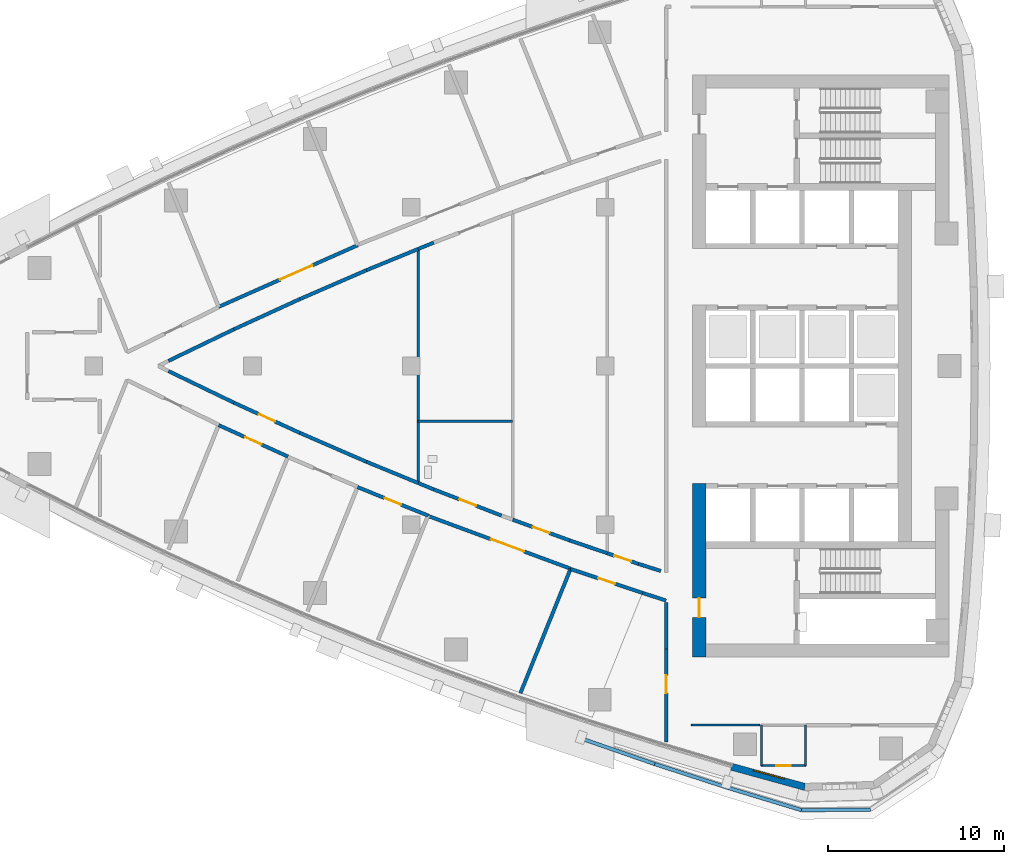
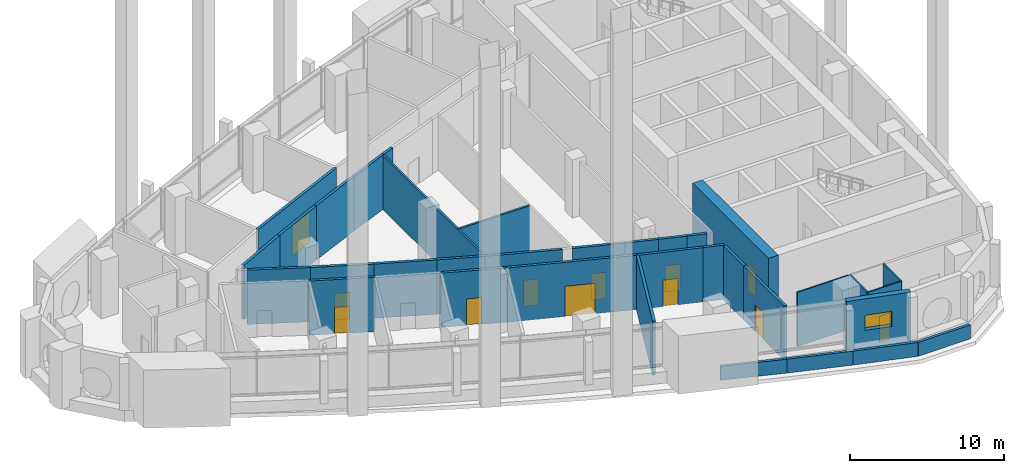
# One storey, part 8 of 19: 36 walls, 12 doors, 1 window, 13 openings.
"""IFC4 building model written with IfcOpenShell, lengths in metres."""

from ifc_helpers import new_model, si_unit, direction, frame, frame_2d, origin, place, context, subcontext, project, spatial, polyline, rectangle, outline, extrude, material, layer, layer_set, type_object, element, fill, save


model = new_model("IFC4")

# Units and contexts
model_context = context("Model", 3, precision=1e-05, world=origin(), true_north=direction((0.0, 1.0)))
body_context = subcontext(model_context, "Body", "Model", "MODEL_VIEW")
ifc_project = project(units=[si_unit("LENGTHUNIT", "METRE"), si_unit("AREAUNIT", "SQUARE_METRE"), si_unit("VOLUMEUNIT", "CUBIC_METRE"), si_unit("PLANEANGLEUNIT", "RADIAN"), si_unit("MASSUNIT", "GRAM", prefix="KILO")], contexts=[model_context])

# Site, building, storey
site_placement = place(None, origin())
site = spatial("IfcSite", under=ifc_project, at=site_placement, CompositionType="ELEMENT")
building_placement = place(site_placement, origin())
building = spatial("IfcBuilding", under=site, at=building_placement, Name="Ostrand Prow Hotel Tower", CompositionType="ELEMENT")
storey_placement = place(building_placement, frame((0.0, 0.0, 170.89990234375)))
storey = spatial("IfcBuildingStorey", under=building, at=storey_placement, Name="L42", CompositionType="ELEMENT", Elevation=170.89990234375)

# Wall, opening, door
ifc_material_1 = material(Name="Concrete C60/75", Category="concrete")
ifc_layer_1 = layer(ifc_material_1, 0.75)
ifc_layer_set_1 = layer_set([ifc_layer_1], Name="Concrete C60/75")
wall_type_1 = type_object("IfcWallType", Name="Core wall 750 C60/75", PredefinedType="SHEAR", material=ifc_layer_set_1)
wall_1_placement = place(storey_placement, frame((50.324951171875, -16.5, 0.0), z_axis=(0.0, 0.0, 1.0), x_axis=(0.0, 1.0, 0.0)))
wall_1 = element("IfcWall", 1, at=wall_1_placement, inside=storey, type_object=wall_type_1, Name="Core wall CW-W-S", PredefinedType="SHEAR", context=body_context, shape_type="SweptSolid", body=[
    extrude(rectangle(XDim=9.85009765625, YDim=0.75, at=frame_2d((4.925048828125, 0.0))), origin(), (0.0, 0.0, 1.0), 4.60009765625),
])
opening_1_placement = place(wall_1_placement, frame((2.25, 0.0, 0.0)))
opening_1 = element("IfcOpeningElement", 2, at=opening_1_placement, cuts=wall_1, Name="Opening FD1", PredefinedType="OPENING", context=body_context, shape_type="SweptSolid", body=[
    extrude(rectangle(XDim=1.10009765625, YDim=2.10009765625, at=frame_2d((0.550048828125, 1.050048828125))), frame((0.0, 0.385009765625, 0.0), z_axis=(0.0, -1.0, 0.0), x_axis=(1.0, 0.0, 0.0)), (0.0, 0.0, 1.0), 0.77001953125),
])
ifc_material_2 = material(Name="Steel fire door", Category="steel")
door_type_1 = type_object("IfcDoorType", Name="Fire door 1100 EI120", OperationType="SINGLE_SWING_RIGHT", PredefinedType="DOOR", material=ifc_material_2)
door_1_placement = place(opening_1_placement, origin())
door_1 = element("IfcDoor", 3, at=door_1_placement, inside=storey, type_object=door_type_1, Name="FIRE DOOR", OperationType="SINGLE_SWING_RIGHT", OverallHeight=2.10009765625, OverallWidth=1.10009765625, PredefinedType="DOOR", context=body_context, shape_type="SweptSolid", body=[
    extrude(rectangle(XDim=1.10009765625, YDim=2.10009765625, at=frame_2d((0.550048828125, 1.050048828125))), frame((0.0, 0.02490234375, 0.0), z_axis=(0.0, -1.0, 0.0), x_axis=(1.0, 0.0, 0.0)), (0.0, 0.0, 1.0), 0.050048828125),
])
fill(opening_1, door_1)

ifc_material_3 = material(Name="Plasterboard partition")
ifc_layer_2 = layer(ifc_material_3, 0.10009765625)
ifc_layer_set_2 = layer_set([ifc_layer_2], Name="Plasterboard partition")
wall_type_2 = type_object("IfcWallType", Name="Partition 100 bathroom wall", PredefinedType="PARTITIONING", material=ifc_layer_set_2)
wall_2_placement = place(storey_placement, frame((56.35009765625, -22.64990234375, 0.0), z_axis=(0.0, 0.0, 1.0), x_axis=(-1.0, 0.0, 0.0)))
wall_2 = element("IfcWall", 4, at=wall_2_placement, inside=storey, type_object=wall_type_2, Name="BATHROOM WALL", PredefinedType="PARTITIONING", context=body_context, shape_type="SweptSolid", body=[
    extrude(rectangle(XDim=2.5, YDim=0.10009765625, at=frame_2d((1.25, 0.0))), origin(), (0.0, 0.0, 1.0), 4.300048828125),
])
opening_2_placement = place(wall_2_placement, frame((0.85009765625, 0.0, 0.0)))
opening_2 = element("IfcOpeningElement", 5, at=opening_2_placement, cuts=wall_2, Name="Opening D2", PredefinedType="OPENING", context=body_context, shape_type="SweptSolid", body=[
    extrude(rectangle(XDim=0.800048828125, YDim=2.10009765625, at=frame_2d((0.39990234375, 1.050048828125))), frame((0.0, 0.06005859375, 0.0), z_axis=(0.0, -1.0, 0.0), x_axis=(1.0, 0.0, 0.0)), (0.0, 0.0, 1.0), 0.1201171875),
])
ifc_material_4 = material(Name="Timber door leaf", Category="wood")
door_type_2 = type_object("IfcDoorType", Name="Bathroom door 800", OperationType="SINGLE_SWING_LEFT", PredefinedType="DOOR", material=ifc_material_4)
door_2_placement = place(opening_2_placement, origin())
door_2 = element("IfcDoor", 6, at=door_2_placement, inside=storey, type_object=door_type_2, Name="DOOR", OperationType="SINGLE_SWING_LEFT", OverallHeight=2.10009765625, OverallWidth=0.800048828125, PredefinedType="DOOR", context=body_context, shape_type="SweptSolid", body=[
    extrude(rectangle(XDim=0.800048828125, YDim=2.10009765625, at=frame_2d((0.39990234375, 1.050048828125))), frame((0.0, 0.02490234375, 0.0), z_axis=(0.0, -1.0, 0.0), x_axis=(1.0, 0.0, 0.0)), (0.0, 0.0, 1.0), 0.050048828125),
])
fill(opening_2, door_2)

# Walls
for number, where, z_axis, x_axis, name in (
    (7, (53.85009765625, -22.64990234375, 0.0), (0.0, 0.0, 1.0), (0.0, 1.0, 0.0), "BATHROOM WALL"),
    (8, (56.35009765625, -20.35009765625, 0.0), (0.0, 0.0, 1.0), (0.0, -1.0, 0.0), "BATHROOM WALL"),
):
    element("IfcWall", number, at=place(storey_placement, frame(where, z_axis=z_axis, x_axis=x_axis)), inside=storey, type_object=wall_type_2, Name=name, PredefinedType="PARTITIONING", context=body_context, shape_type="SweptSolid", body=[
        extrude(rectangle(XDim=2.2998046875, YDim=0.10009765625, at=frame_2d((1.14990234375, 0.0))), origin(), (0.0, 0.0, 1.0), 4.300048828125),
    ])
wall_3_placement = place(storey_placement, frame((53.75, -20.35009765625, 0.0), z_axis=(0.0, 0.0, 1.0), x_axis=(-1.0, 0.0, 0.0)))
element("IfcWall", 9, at=wall_3_placement, inside=storey, type_object=wall_type_2, Name="BATHROOM WALL", PredefinedType="PARTITIONING", context=body_context, shape_type="SweptSolid", body=[
    extrude(rectangle(XDim=3.8798828125, YDim=0.10009765625, at=frame_2d((1.93994140625, 0.0))), origin(), (0.0, 0.0, 1.0), 4.300048828125),
])
ifc_material_5 = material(Name="Plasterboard partition")
ifc_layer_3 = layer(ifc_material_5, 0.14990234375)
ifc_layer_set_3 = layer_set([ifc_layer_3], Name="Plasterboard partition")
wall_type_3 = type_object("IfcWallType", Name="Partition 150 room partition", PredefinedType="PARTITIONING", material=ifc_layer_set_3)
wall_4_placement = place(storey_placement, frame((34.3935546875, -3.135498046875, 0.0), z_axis=(0.0, 0.0, 1.0), x_axis=(1.0, 0.0, 0.0)))
element("IfcWall", 10, at=wall_4_placement, inside=storey, type_object=wall_type_3, Name="ROOM PARTITION", PredefinedType="PARTITIONING", context=body_context, shape_type="SweptSolid", body=[
    extrude(rectangle(XDim=5.354736328125, YDim=0.14990234375, at=frame_2d((2.67724609375, 0.0))), origin(), (0.0, 0.0, 1.0), 4.300048828125),
])
wall_5_placement = place(storey_placement, frame((34.3935546875, -6.632568359375, 0.0), z_axis=(0.0, 0.0, 1.0), x_axis=(0.0, 1.0, 0.0)))
element("IfcWall", 11, at=wall_5_placement, inside=storey, type_object=wall_type_3, Name="ROOM PARTITION", PredefinedType="PARTITIONING", context=body_context, shape_type="SweptSolid", body=[
    extrude(rectangle(XDim=13.26513671875, YDim=0.14990234375, at=frame_2d((6.632568359375, 0.0))), origin(), (0.0, 0.0, 1.0), 4.300048828125),
])

# Wall, opening, door
ifc_material_6 = material(Name="Plasterboard partition")
ifc_layer_4 = layer(ifc_material_6, 0.199951171875)
ifc_layer_set_4 = layer_set([ifc_layer_4], Name="Plasterboard partition")
wall_type_4 = type_object("IfcWallType", Name="Partition 200 corridor wall", PredefinedType="PARTITIONING", material=ifc_layer_set_4)
wall_6_placement = place(storey_placement, frame((23.084716796875, 3.35107421875, 0.0), z_axis=(0.0, 0.0, 1.0), x_axis=(0.914065936171, 0.405565610392, 0.0)))
wall_6 = element("IfcWall", 12, at=wall_6_placement, inside=storey, type_object=wall_type_4, Name="CORRIDOR WALL", PredefinedType="PARTITIONING", context=body_context, shape_type="SweptSolid", body=[
    extrude(rectangle(XDim=8.62158203125, YDim=0.199951171875, at=frame_2d((4.310791015625, 0.0))), origin(), (0.0, 0.0, 1.0), 4.300048828125),
])
opening_3_placement = place(wall_6_placement, frame((3.810791015625, 0.0, 0.0)))
opening_3 = element("IfcOpeningElement", 13, at=opening_3_placement, cuts=wall_6, Name="Opening D20", PredefinedType="OPENING", context=body_context, shape_type="SweptSolid", body=[
    extrude(rectangle(XDim=2.0, YDim=2.39990234375, at=frame_2d((1.0, 1.199951171875))), frame((0.0, 0.10986328125, 0.0), z_axis=(0.0, -1.0, 0.0), x_axis=(1.0, 0.0, 0.0)), (0.0, 0.0, 1.0), 0.219970703125),
])
ifc_material_7 = material(Name="Timber door leaf", Category="wood")
door_type_3 = type_object("IfcDoorType", Name="Double door 2000", OperationType="DOUBLE_DOOR_SINGLE_SWING", PredefinedType="DOOR", material=ifc_material_7)
door_3_placement = place(opening_3_placement, origin())
door_3 = element("IfcDoor", 14, at=door_3_placement, inside=storey, type_object=door_type_3, Name="DOOR", OperationType="DOUBLE_DOOR_SINGLE_SWING", OverallHeight=2.39990234375, OverallWidth=2.0, PredefinedType="DOOR", context=body_context, shape_type="SweptSolid", body=[
    extrude(rectangle(XDim=2.0, YDim=2.39990234375, at=frame_2d((1.0, 1.199951171875))), frame((0.0, 0.02490234375, 0.0), z_axis=(0.0, -1.0, 0.0), x_axis=(1.0, 0.0, 0.0)), (0.0, 0.0, 1.0), 0.050048828125),
])
fill(opening_3, door_3)

wall_7_placement = place(storey_placement, frame((23.084716796875, -3.35107421875, 0.0), z_axis=(0.0, 0.0, 1.0), x_axis=(0.910651275081, -0.413175816322, 0.0)))
wall_7 = element("IfcWall", 15, at=wall_7_placement, inside=storey, type_object=wall_type_4, Name="CORRIDOR WALL", PredefinedType="PARTITIONING", context=body_context, shape_type="SweptSolid", body=[
    extrude(rectangle(XDim=4.312255859375, YDim=0.199951171875, at=frame_2d((2.15625, 0.0))), origin(), (0.0, 0.0, 1.0), 4.300048828125),
])
opening_4_placement = place(wall_7_placement, frame((1.656005859375, 0.0, 0.0)))
opening_4 = element("IfcOpeningElement", 16, at=opening_4_placement, cuts=wall_7, Name="Opening D1", PredefinedType="OPENING", context=body_context, shape_type="SweptSolid", body=[
    extrude(rectangle(XDim=1.0, YDim=2.10009765625, at=frame_2d((0.5, 1.050048828125))), frame((0.0, 0.10986328125, 0.0), z_axis=(0.0, -1.0, 0.0), x_axis=(1.0, 0.0, 0.0)), (0.0, 0.0, 1.0), 0.219970703125),
])
ifc_material_8 = material(Name="Timber door leaf", Category="wood")
door_type_4 = type_object("IfcDoorType", Name="Guest room door 1000", OperationType="SINGLE_SWING_LEFT", PredefinedType="DOOR", material=ifc_material_8)
door_4_placement = place(opening_4_placement, origin())
door_4 = element("IfcDoor", 17, at=door_4_placement, inside=storey, type_object=door_type_4, Name="DOOR", OperationType="SINGLE_SWING_LEFT", OverallHeight=2.10009765625, OverallWidth=1.0, PredefinedType="DOOR", context=body_context, shape_type="SweptSolid", body=[
    extrude(rectangle(XDim=1.0, YDim=2.10009765625, at=frame_2d((0.5, 1.050048828125))), frame((0.0, 0.02490234375, 0.0), z_axis=(0.0, -1.0, 0.0), x_axis=(1.0, 0.0, 0.0)), (0.0, 0.0, 1.0), 0.050048828125),
])
fill(opening_4, door_4)

wall_8_placement = place(storey_placement, frame((30.9580078125, -6.8662109375, 0.0), z_axis=(0.0, 0.0, 1.0), x_axis=(0.927398695046, -0.374074404933, 0.0)))
wall_8 = element("IfcWall", 18, at=wall_8_placement, inside=storey, type_object=wall_type_4, Name="CORRIDOR WALL", PredefinedType="PARTITIONING", context=body_context, shape_type="SweptSolid", body=[
    extrude(rectangle(XDim=4.310791015625, YDim=0.199951171875, at=frame_2d((2.1552734375, 0.0))), origin(), (0.0, 0.0, 1.0), 4.300048828125),
])
opening_5_placement = place(wall_8_placement, frame((1.655517578125, 0.0, 0.0)))
opening_5 = element("IfcOpeningElement", 19, at=opening_5_placement, cuts=wall_8, Name="Opening D1", PredefinedType="OPENING", context=body_context, shape_type="SweptSolid", body=[
    extrude(rectangle(XDim=1.0, YDim=2.10009765625, at=frame_2d((0.5, 1.050048828125))), frame((0.0, 0.10986328125, 0.0), z_axis=(0.0, -1.0, 0.0), x_axis=(1.0, 0.0, 0.0)), (0.0, 0.0, 1.0), 0.219970703125),
])
door_5_placement = place(opening_5_placement, origin())
door_5 = element("IfcDoor", 20, at=door_5_placement, inside=storey, type_object=door_type_4, Name="DOOR", OperationType="SINGLE_SWING_LEFT", OverallHeight=2.10009765625, OverallWidth=1.0, PredefinedType="DOOR", context=body_context, shape_type="SweptSolid", body=[
    extrude(rectangle(XDim=1.0, YDim=2.10009765625, at=frame_2d((0.5, 1.050048828125))), frame((0.0, 0.02490234375, 0.0), z_axis=(0.0, -1.0, 0.0), x_axis=(1.0, 0.0, 0.0)), (0.0, 0.0, 1.0), 0.050048828125),
])
fill(opening_5, door_5)

wall_9_placement = place(storey_placement, frame((34.9482421875, -8.497314453125, 0.0), z_axis=(0.0, 0.0, 1.0), x_axis=(0.937864515454, -0.347001657996, 0.0)))
wall_9 = element("IfcWall", 21, at=wall_9_placement, inside=storey, type_object=wall_type_4, Name="CORRIDOR WALL", PredefinedType="PARTITIONING", context=body_context, shape_type="SweptSolid", body=[
    extrude(rectangle(XDim=8.620849609375, YDim=0.199951171875, at=frame_2d((4.310546875, 0.0))), origin(), (0.0, 0.0, 1.0), 4.300048828125),
])
opening_6_placement = place(wall_9_placement, frame((3.810302734375, 0.0, 0.0)))
opening_6 = element("IfcOpeningElement", 22, at=opening_6_placement, cuts=wall_9, Name="Opening D20", PredefinedType="OPENING", context=body_context, shape_type="SweptSolid", body=[
    extrude(rectangle(XDim=2.0, YDim=2.39990234375, at=frame_2d((1.0, 1.199951171875))), frame((0.0, 0.10986328125, 0.0), z_axis=(0.0, -1.0, 0.0), x_axis=(1.0, 0.0, 0.0)), (0.0, 0.0, 1.0), 0.219970703125),
])
door_6_placement = place(opening_6_placement, origin())
door_6 = element("IfcDoor", 23, at=door_6_placement, inside=storey, type_object=door_type_3, Name="DOOR", OperationType="DOUBLE_DOOR_SINGLE_SWING", OverallHeight=2.39990234375, OverallWidth=2.0, PredefinedType="DOOR", context=body_context, shape_type="SweptSolid", body=[
    extrude(rectangle(XDim=2.0, YDim=2.39990234375, at=frame_2d((1.0, 1.199951171875))), frame((0.0, 0.02490234375, 0.0), z_axis=(0.0, -1.0, 0.0), x_axis=(1.0, 0.0, 0.0)), (0.0, 0.0, 1.0), 0.050048828125),
])
fill(opening_6, door_6)

wall_10_placement = place(storey_placement, frame((43.02587890625, -11.50732421875, 0.0), z_axis=(0.0, 0.0, 1.0), x_axis=(0.949022233489, -0.315209137469, 0.0)))
wall_10 = element("IfcWall", 24, at=wall_10_placement, inside=storey, type_object=wall_type_4, Name="CORRIDOR WALL", PredefinedType="PARTITIONING", context=body_context, shape_type="SweptSolid", body=[
    extrude(rectangle(XDim=4.31494140625, YDim=0.199951171875, at=frame_2d((2.157470703125, 0.0))), origin(), (0.0, 0.0, 1.0), 4.300048828125),
])
opening_7_placement = place(wall_10_placement, frame((1.657470703125, 0.0, 0.0)))
opening_7 = element("IfcOpeningElement", 25, at=opening_7_placement, cuts=wall_10, Name="Opening D1", PredefinedType="OPENING", context=body_context, shape_type="SweptSolid", body=[
    extrude(rectangle(XDim=1.0, YDim=2.10009765625, at=frame_2d((0.5, 1.050048828125))), frame((0.0, 0.10986328125, 0.0), z_axis=(0.0, -1.0, 0.0), x_axis=(1.0, 0.0, 0.0)), (0.0, 0.0, 1.0), 0.219970703125),
])
door_7_placement = place(opening_7_placement, origin())
door_7 = element("IfcDoor", 26, at=door_7_placement, inside=storey, type_object=door_type_4, Name="DOOR", OperationType="SINGLE_SWING_LEFT", OverallHeight=2.10009765625, OverallWidth=1.0, PredefinedType="DOOR", context=body_context, shape_type="SweptSolid", body=[
    extrude(rectangle(XDim=1.0, YDim=2.10009765625, at=frame_2d((0.5, 1.050048828125))), frame((0.0, 0.02490234375, 0.0), z_axis=(0.0, -1.0, 0.0), x_axis=(1.0, 0.0, 0.0)), (0.0, 0.0, 1.0), 0.050048828125),
])
fill(opening_7, door_7)

wall_11_placement = place(storey_placement, frame((27.689697265625, -3.79345703125, 0.0), z_axis=(0.0, 0.0, 1.0), x_axis=(-0.909180834404, 0.416401501382, 0.0)))
wall_11 = element("IfcWall", 27, at=wall_11_placement, inside=storey, type_object=wall_type_4, Name="CORRIDOR WALL", PredefinedType="PARTITIONING", context=body_context, shape_type="SweptSolid", body=[
    extrude(rectangle(XDim=4.1171875, YDim=0.199951171875, at=frame_2d((2.05859375, 0.0))), origin(), (0.0, 0.0, 1.0), 4.300048828125),
])
opening_8_placement = place(wall_11_placement, frame((1.55859375, 0.0, 0.0)))
opening_8 = element("IfcOpeningElement", 28, at=opening_8_placement, cuts=wall_11, Name="Opening D1R", PredefinedType="OPENING", context=body_context, shape_type="SweptSolid", body=[
    extrude(rectangle(XDim=1.0, YDim=2.10009765625, at=frame_2d((0.5, 1.050048828125))), frame((0.0, 0.10986328125, 0.0), z_axis=(0.0, -1.0, 0.0), x_axis=(1.0, 0.0, 0.0)), (0.0, 0.0, 1.0), 0.219970703125),
])
ifc_material_9 = material(Name="Timber door leaf", Category="wood")
door_type_5 = type_object("IfcDoorType", Name="Guest room door 1000 right", OperationType="SINGLE_SWING_RIGHT", PredefinedType="DOOR", material=ifc_material_9)
door_8_placement = place(opening_8_placement, origin())
door_8 = element("IfcDoor", 29, at=door_8_placement, inside=storey, type_object=door_type_5, Name="DOOR", OperationType="SINGLE_SWING_RIGHT", OverallHeight=2.10009765625, OverallWidth=1.0, PredefinedType="DOOR", context=body_context, shape_type="SweptSolid", body=[
    extrude(rectangle(XDim=1.0, YDim=2.10009765625, at=frame_2d((0.5, 1.050048828125))), frame((0.0, 0.02490234375, 0.0), z_axis=(0.0, -1.0, 0.0), x_axis=(1.0, 0.0, 0.0)), (0.0, 0.0, 1.0), 0.050048828125),
])
fill(opening_8, door_8)

# Walls
for number, where, z_axis, x_axis, name in (
    (30, (31.466552734375, 5.43212890625, 0.0), (0.0, 0.0, 1.0), (0.92521099839, 0.379453038542, 0.0), "CORRIDOR WALL"),
    (31, (34.3935546875, -6.632568359375, 0.0), (0.0, 0.0, 1.0), (-0.92521099839, 0.379453038542, 0.0), "CORRIDOR WALL"),
):
    element("IfcWall", number, at=place(storey_placement, frame(where, z_axis=z_axis, x_axis=x_axis)), inside=storey, type_object=wall_type_4, Name=name, PredefinedType="PARTITIONING", context=body_context, shape_type="SweptSolid", body=[
        extrude(rectangle(XDim=3.16357421875, YDim=0.199951171875, at=frame_2d((1.581787109375, 0.0))), origin(), (0.0, 0.0, 1.0), 4.300048828125),
    ])
for number, where, z_axis, x_axis, name in (
    (32, (31.466552734375, -5.43212890625, 0.0), (0.0, 0.0, 1.0), (-0.917375244839, 0.398023441717, 0.0), "CORRIDOR WALL"),
    (33, (23.946533203125, -2.0791015625, 0.0), (0.0, 0.0, 1.0), (-0.900613273517, 0.434621365748, 0.0), "CORRIDOR WALL"),
    (34, (20.23876953125, 0.289794921875, 0.0), (0.0, 0.0, 1.0), (0.900613273517, 0.434621365748, 0.0), "CORRIDOR WALL"),
):
    element("IfcWall", number, at=place(storey_placement, frame(where, z_axis=z_axis, x_axis=x_axis)), inside=storey, type_object=wall_type_4, Name=name, PredefinedType="PARTITIONING", context=body_context, shape_type="SweptSolid", body=[
        extrude(rectangle(XDim=4.116943359375, YDim=0.199951171875, at=frame_2d((2.05859375, 0.0))), origin(), (0.0, 0.0, 1.0), 4.300048828125),
    ])
wall_12_placement = place(storey_placement, frame((23.946533203125, 2.0791015625, 0.0), z_axis=(0.0, 0.0, 1.0), x_axis=(0.909180834404, 0.416401501382, 0.0)))
element("IfcWall", 35, at=wall_12_placement, inside=storey, type_object=wall_type_4, Name="CORRIDOR WALL", PredefinedType="PARTITIONING", context=body_context, shape_type="SweptSolid", body=[
    extrude(rectangle(XDim=4.1171875, YDim=0.199951171875, at=frame_2d((2.05859375, 0.0))), origin(), (0.0, 0.0, 1.0), 4.300048828125),
])
wall_13_placement = place(storey_placement, frame((27.689697265625, 3.79345703125, 0.0), z_axis=(0.0, 0.0, 1.0), x_axis=(0.917375244839, 0.398023441717, 0.0)))
element("IfcWall", 36, at=wall_13_placement, inside=storey, type_object=wall_type_4, Name="CORRIDOR WALL", PredefinedType="PARTITIONING", context=body_context, shape_type="SweptSolid", body=[
    extrude(rectangle(XDim=4.116943359375, YDim=0.199951171875, at=frame_2d((2.05859375, 0.0))), origin(), (0.0, 0.0, 1.0), 4.300048828125),
])

# Wall, opening, door
wall_14_placement = place(storey_placement, frame((39.115478515625, -8.4794921875, 0.0), z_axis=(0.0, 0.0, 1.0), x_axis=(-0.932673028194, 0.360722916487, 0.0)))
wall_14 = element("IfcWall", 37, at=wall_14_placement, inside=storey, type_object=wall_type_4, Name="CORRIDOR WALL", PredefinedType="PARTITIONING", context=body_context, shape_type="SweptSolid", body=[
    extrude(rectangle(XDim=4.116943359375, YDim=0.199951171875, at=frame_2d((2.05859375, 0.0))), origin(), (0.0, 0.0, 1.0), 4.300048828125),
])
opening_9_placement = place(wall_14_placement, frame((1.55859375, 0.0, 0.0)))
opening_9 = element("IfcOpeningElement", 38, at=opening_9_placement, cuts=wall_14, Name="Opening D1", PredefinedType="OPENING", context=body_context, shape_type="SweptSolid", body=[
    extrude(rectangle(XDim=1.0, YDim=2.10009765625, at=frame_2d((0.5, 1.050048828125))), frame((0.0, 0.10986328125, 0.0), z_axis=(0.0, -1.0, 0.0), x_axis=(1.0, 0.0, 0.0)), (0.0, 0.0, 1.0), 0.219970703125),
])
door_9_placement = place(opening_9_placement, origin())
door_9 = element("IfcDoor", 39, at=door_9_placement, inside=storey, type_object=door_type_4, Name="DOOR", OperationType="SINGLE_SWING_LEFT", OverallHeight=2.10009765625, OverallWidth=1.0, PredefinedType="DOOR", context=body_context, shape_type="SweptSolid", body=[
    extrude(rectangle(XDim=1.0, YDim=2.10009765625, at=frame_2d((0.5, 1.050048828125))), frame((0.0, 0.02490234375, 0.0), z_axis=(0.0, -1.0, 0.0), x_axis=(1.0, 0.0, 0.0)), (0.0, 0.0, 1.0), 0.050048828125),
])
fill(opening_9, door_9)

# Walls
for number, where, z_axis, x_axis, name in (
    (40, (35.275634765625, -6.994384765625, 0.0), (0.0, 0.0, 1.0), (-0.925191673323, 0.379500154958, 0.0), "CORRIDOR WALL"),
    (41, (34.3935546875, 6.632568359375, 0.0), (0.0, 0.0, 1.0), (0.925191673323, 0.379500154958, 0.0), "CORRIDOR WALL"),
):
    element("IfcWall", number, at=place(storey_placement, frame(where, z_axis=z_axis, x_axis=x_axis)), inside=storey, type_object=wall_type_4, Name=name, PredefinedType="PARTITIONING", context=body_context, shape_type="SweptSolid", body=[
        extrude(rectangle(XDim=0.953369140625, YDim=0.199951171875, at=frame_2d((0.4765625, 0.0))), origin(), (0.0, 0.0, 1.0), 4.300048828125),
    ])

# Wall, opening, door
wall_15_placement = place(storey_placement, frame((42.984375, -9.88720703125, 0.0), z_axis=(0.0, 0.0, 1.0), x_axis=(-0.93972509626, 0.341930904509, 0.0)))
wall_15 = element("IfcWall", 42, at=wall_15_placement, inside=storey, type_object=wall_type_4, Name="CORRIDOR WALL", PredefinedType="PARTITIONING", context=body_context, shape_type="SweptSolid", body=[
    extrude(rectangle(XDim=3.443603515625, YDim=0.199951171875, at=frame_2d((1.7216796875, 0.0))), origin(), (0.0, 0.0, 1.0), 4.300048828125),
])
opening_10_placement = place(wall_15_placement, frame((1.2216796875, 0.0, 0.0)))
opening_10 = element("IfcOpeningElement", 43, at=opening_10_placement, cuts=wall_15, Name="Opening D1", PredefinedType="OPENING", context=body_context, shape_type="SweptSolid", body=[
    extrude(rectangle(XDim=1.0, YDim=2.10009765625, at=frame_2d((0.5, 1.050048828125))), frame((0.0, 0.10986328125, 0.0), z_axis=(0.0, -1.0, 0.0), x_axis=(1.0, 0.0, 0.0)), (0.0, 0.0, 1.0), 0.219970703125),
])
door_10_placement = place(opening_10_placement, origin())
door_10 = element("IfcDoor", 44, at=door_10_placement, inside=storey, type_object=door_type_4, Name="DOOR", OperationType="SINGLE_SWING_LEFT", OverallHeight=2.10009765625, OverallWidth=1.0, PredefinedType="DOOR", context=body_context, shape_type="SweptSolid", body=[
    extrude(rectangle(XDim=1.0, YDim=2.10009765625, at=frame_2d((0.5, 1.050048828125))), frame((0.0, 0.02490234375, 0.0), z_axis=(0.0, -1.0, 0.0), x_axis=(1.0, 0.0, 0.0)), (0.0, 0.0, 1.0), 0.050048828125),
])
fill(opening_10, door_10)

# Wall
wall_16_placement = place(storey_placement, frame((45.103271484375, -10.610107421875, 0.0), z_axis=(0.0, 0.0, 1.0), x_axis=(-0.946435226242, 0.322893732562, 0.0)))
element("IfcWall", 45, at=wall_16_placement, inside=storey, type_object=wall_type_4, Name="CORRIDOR WALL", PredefinedType="PARTITIONING", context=body_context, shape_type="SweptSolid", body=[
    extrude(rectangle(XDim=2.23876953125, YDim=0.199951171875, at=frame_2d((1.119384765625, 0.0))), origin(), (0.0, 0.0, 1.0), 4.300048828125),
])

# Wall, opening, door
wall_17_placement = place(storey_placement, frame((46.880859375, -11.216552734375, 0.0), z_axis=(0.0, 0.0, 1.0), x_axis=(-0.946437079914, 0.322888299204, 0.0)))
wall_17 = element("IfcWall", 46, at=wall_17_placement, inside=storey, type_object=wall_type_4, Name="CORRIDOR WALL", PredefinedType="PARTITIONING", context=body_context, shape_type="SweptSolid", body=[
    extrude(rectangle(XDim=1.878173828125, YDim=0.199951171875, at=frame_2d((0.93896484375, 0.0))), origin(), (0.0, 0.0, 1.0), 4.300048828125),
])
opening_11_placement = place(wall_17_placement, frame((0.439208984375, 0.0, 0.0)))
opening_11 = element("IfcOpeningElement", 47, at=opening_11_placement, cuts=wall_17, Name="Opening D1R", PredefinedType="OPENING", context=body_context, shape_type="SweptSolid", body=[
    extrude(rectangle(XDim=1.0, YDim=2.10009765625, at=frame_2d((0.5, 1.050048828125))), frame((0.0, 0.10986328125, 0.0), z_axis=(0.0, -1.0, 0.0), x_axis=(1.0, 0.0, 0.0)), (0.0, 0.0, 1.0), 0.219970703125),
])
door_11_placement = place(opening_11_placement, origin())
door_11 = element("IfcDoor", 48, at=door_11_placement, inside=storey, type_object=door_type_5, Name="DOOR", OperationType="SINGLE_SWING_RIGHT", OverallHeight=2.10009765625, OverallWidth=1.0, PredefinedType="DOOR", context=body_context, shape_type="SweptSolid", body=[
    extrude(rectangle(XDim=1.0, YDim=2.10009765625, at=frame_2d((0.5, 1.050048828125))), frame((0.0, 0.02490234375, 0.0), z_axis=(0.0, -1.0, 0.0), x_axis=(1.0, 0.0, 0.0)), (0.0, 0.0, 1.0), 0.050048828125),
])
fill(opening_11, door_11)

# Wall
wall_18_placement = place(storey_placement, frame((48.14990234375, -11.62109375, 0.0), z_axis=(0.0, 0.0, 1.0), x_axis=(-0.952761948983, 0.303718074157, 0.0)))
element("IfcWall", 49, at=wall_18_placement, inside=storey, type_object=wall_type_4, Name="CORRIDOR WALL", PredefinedType="PARTITIONING", context=body_context, shape_type="SweptSolid", body=[
    extrude(rectangle(XDim=1.33203125, YDim=0.199951171875, at=frame_2d((0.666015625, 0.0))), origin(), (0.0, 0.0, 1.0), 4.300048828125),
])

# Wall, opening, door
wall_19_placement = place(storey_placement, frame((48.445068359375, -16.0498046875, 0.0), z_axis=(0.0, 0.0, 1.0), x_axis=(0.0, -1.0, 0.0)))
wall_19 = element("IfcWall", 50, at=wall_19_placement, inside=storey, type_object=wall_type_4, Name="CORRIDOR WALL", PredefinedType="PARTITIONING", context=body_context, shape_type="SweptSolid", body=[
    extrude(rectangle(XDim=5.259765625, YDim=0.199951171875, at=frame_2d((2.6298828125, 0.0))), origin(), (0.0, 0.0, 1.0), 4.300048828125),
])
opening_12_placement = place(wall_19_placement, frame((1.488037109375, 0.0, 0.0)))
opening_12 = element("IfcOpeningElement", 51, at=opening_12_placement, cuts=wall_19, Name="Opening D1", PredefinedType="OPENING", context=body_context, shape_type="SweptSolid", body=[
    extrude(rectangle(XDim=1.0, YDim=2.10009765625, at=frame_2d((0.5, 1.050048828125))), frame((0.0, 0.10986328125, 0.0), z_axis=(0.0, -1.0, 0.0), x_axis=(1.0, 0.0, 0.0)), (0.0, 0.0, 1.0), 0.219970703125),
])
door_12_placement = place(opening_12_placement, origin())
door_12 = element("IfcDoor", 52, at=door_12_placement, inside=storey, type_object=door_type_4, Name="DOOR", OperationType="SINGLE_SWING_LEFT", OverallHeight=2.10009765625, OverallWidth=1.0, PredefinedType="DOOR", context=body_context, shape_type="SweptSolid", body=[
    extrude(rectangle(XDim=1.0, YDim=2.10009765625, at=frame_2d((0.5, 1.050048828125))), frame((0.0, 0.02490234375, 0.0), z_axis=(0.0, -1.0, 0.0), x_axis=(1.0, 0.0, 0.0)), (0.0, 0.0, 1.0), 0.050048828125),
])
fill(opening_12, door_12)

# Walls
wall_20_placement = place(storey_placement, frame((47.120849609375, -12.867431640625, 0.0), z_axis=(0.0, 0.0, 1.0), x_axis=(0.951640795778, -0.307212948637, 0.0)))
element("IfcWall", 53, at=wall_20_placement, inside=storey, type_object=wall_type_4, Name="CORRIDOR WALL", PredefinedType="PARTITIONING", context=body_context, shape_type="SweptSolid", body=[
    extrude(rectangle(XDim=1.3916015625, YDim=0.199951171875, at=frame_2d((0.69580078125, 0.0))), origin(), (0.0, 0.0, 1.0), 4.300048828125),
])
wall_21_placement = place(storey_placement, frame((48.445068359375, -13.414794921875, 0.0), z_axis=(0.0, 0.0, 1.0), x_axis=(0.0, -1.0, 0.0)))
element("IfcWall", 54, at=wall_21_placement, inside=storey, type_object=wall_type_4, Name="CORRIDOR WALL", PredefinedType="PARTITIONING", context=body_context, shape_type="SweptSolid", body=[
    extrude(rectangle(XDim=2.635009765625, YDim=0.199951171875, at=frame_2d((1.3173828125, 0.0))), origin(), (0.0, 0.0, 1.0), 4.300048828125),
])
ifc_material_10 = material(Name="Plasterboard partition")
ifc_layer_5 = layer(ifc_material_10, 0.199951171875)
ifc_layer_set_5 = layer_set([ifc_layer_5], Name="Plasterboard partition")
wall_type_5 = type_object("IfcWallType", Name="Partition 200 key partition", PredefinedType="PARTITIONING", material=ifc_layer_set_5)
wall_22_placement = place(storey_placement, frame((40.187744140625, -18.548095703125, 0.0), z_axis=(0.0, 0.0, 1.0), x_axis=(0.373877998371, 0.927477893178, 0.0)))
element("IfcWall", 55, at=wall_22_placement, inside=storey, type_object=wall_type_5, Name="KEY PARTITION", PredefinedType="PARTITIONING", context=body_context, shape_type="SweptSolid", body=[
    extrude(rectangle(XDim=7.611328125, YDim=0.199951171875, at=frame_2d((3.8056640625, 0.0))), origin(), (0.0, 0.0, 1.0), 4.300048828125),
])
ifc_material_11 = material(Name="Precast concrete C40/50", Category="concrete")
ifc_layer_6 = layer(ifc_material_11, 0.199951171875)
ifc_layer_set_6 = layer_set([ifc_layer_6], Name="Precast concrete C40/50")
wall_type_6 = type_object("IfcWallType", Name="Roof parapet 200 mm precast concrete", PredefinedType="PARAPET", material=ifc_layer_set_6)
for number, where, z_axis, x_axis, name in (
    (56, (43.662353515625, -21.12158203125, 0.0), (0.0, 0.0, 1.0), (0.944536635865, -0.328406064969, 0.0), "Roof parapet LPR0 2.7"),
    (57, (47.80029296875, -22.560302734375, 0.0), (0.0, 0.0, 1.0), (0.950927119202, -0.309414954335, 0.0), "Roof parapet LPR0 2.8"),
):
    element("IfcWall", number, at=place(storey_placement, frame(where, z_axis=z_axis, x_axis=x_axis)), inside=storey, type_object=wall_type_6, Name=name, PredefinedType="PARAPET", context=body_context, shape_type="SweptSolid", body=[
        extrude(rectangle(XDim=4.380859375, YDim=0.199951171875, at=frame_2d((2.1904296875, 0.0))), origin(), (0.0, 0.0, 1.0), 1.10009765625),
    ])
wall_23_placement = place(storey_placement, frame((51.966064453125, -23.915771484375, 0.0), z_axis=(0.0, 0.0, 1.0), x_axis=(0.956960072786, -0.290219604942, 0.0)))
element("IfcWall", 58, at=wall_23_placement, inside=storey, type_object=wall_type_6, Name="Roof parapet LPR0 2.9", PredefinedType="PARAPET", context=body_context, shape_type="SweptSolid", body=[
    extrude(rectangle(XDim=4.342529296875, YDim=0.199951171875, at=frame_2d((2.17138671875, 0.0))), origin(), (0.0, 0.0, 1.0), 1.10009765625),
])
wall_24_placement = place(storey_placement, frame((56.12158203125, -25.176025390625, 0.0), z_axis=(0.0, 0.0, 1.0), x_axis=(0.999969070997, 0.007864925278, 0.0)))
element("IfcWall", 59, at=wall_24_placement, inside=storey, type_object=wall_type_6, Name="Roof parapet LPR0 2.10", PredefinedType="PARAPET", context=body_context, shape_type="SweptSolid", body=[
    extrude(rectangle(XDim=3.9111328125, YDim=0.199951171875, at=frame_2d((1.95556640625, 0.0))), origin(), (0.0, 0.0, 1.0), 1.10009765625),
])

# Wall, opening, window
ifc_material_12 = material(Name="Precast concrete C40/50", Category="concrete")
ifc_layer_7 = layer(ifc_material_12, 0.39990234375)
ifc_layer_set_7 = layer_set([ifc_layer_7], Name="Precast concrete C40/50")
wall_type_7 = type_object("IfcWallType", Name="Stone-faced precast wall 400 mm", PredefinedType="NOTDEFINED", material=ifc_layer_set_7)
wall_25_placement = place(storey_placement, frame((52.15478515625, -22.7158203125, 0.0), z_axis=(0.0, 0.0, 1.0), x_axis=(0.964205755089, -0.265155165617, 0.0)))
wall_25 = element("IfcWall", 60, at=wall_25_placement, inside=storey, type_object=wall_type_7, Name="Stone-faced wall back 1", PredefinedType="NOTDEFINED", context=body_context, shape_type="SweptSolid", body=[
    extrude(outline(polyline([(0.0, -0.199951171875), (4.3369140625, -0.199951171875), (4.27734375, 0.199951171875), (0.0, 0.199951171875), (0.0, -0.199951171875)])), origin(), (0.0, 0.0, 1.0), 4.300048828125),
])
opening_13_placement = place(wall_25_placement, frame((1.25341796875, 0.0, 1.800048828125)))
opening_13 = element("IfcOpeningElement", 61, at=opening_13_placement, cuts=wall_25, Name="Opening WC1", PredefinedType="OPENING", context=body_context, shape_type="SweptSolid", body=[
    extrude(rectangle(XDim=1.800048828125, YDim=1.199951171875, at=frame_2d((0.89990234375, 0.60009765625))), frame((0.0, 0.2099609375, 0.0), z_axis=(0.0, -1.0, 0.0), x_axis=(1.0, 0.0, 0.0)), (0.0, 0.0, 1.0), 0.419921875),
])
ifc_material_13 = material(Name="Insulated glass in bronze frame", Category="glass")
window_type = type_object("IfcWindowType", Name="Sky lobby clerestory window 1800x1200", PartitioningType="SINGLE_PANEL", PredefinedType="WINDOW", material=ifc_material_13)
window_placement = place(opening_13_placement, origin())
window = element("IfcWindow", 62, at=window_placement, inside=storey, type_object=window_type, Name="Window back 1.1", OverallHeight=1.199951171875, OverallWidth=1.800048828125, PartitioningType="SINGLE_PANEL", PredefinedType="WINDOW", context=body_context, shape_type="SweptSolid", body=[
    extrude(rectangle(XDim=1.800048828125, YDim=1.199951171875, at=frame_2d((0.89990234375, 0.60009765625))), frame((0.0, 0.169921875, 0.0), z_axis=(0.0, -1.0, 0.0), x_axis=(1.0, 0.0, 0.0)), (0.0, 0.0, 1.0), 0.06005859375),
])
fill(opening_13, window)

save(model, "model.ifc")
